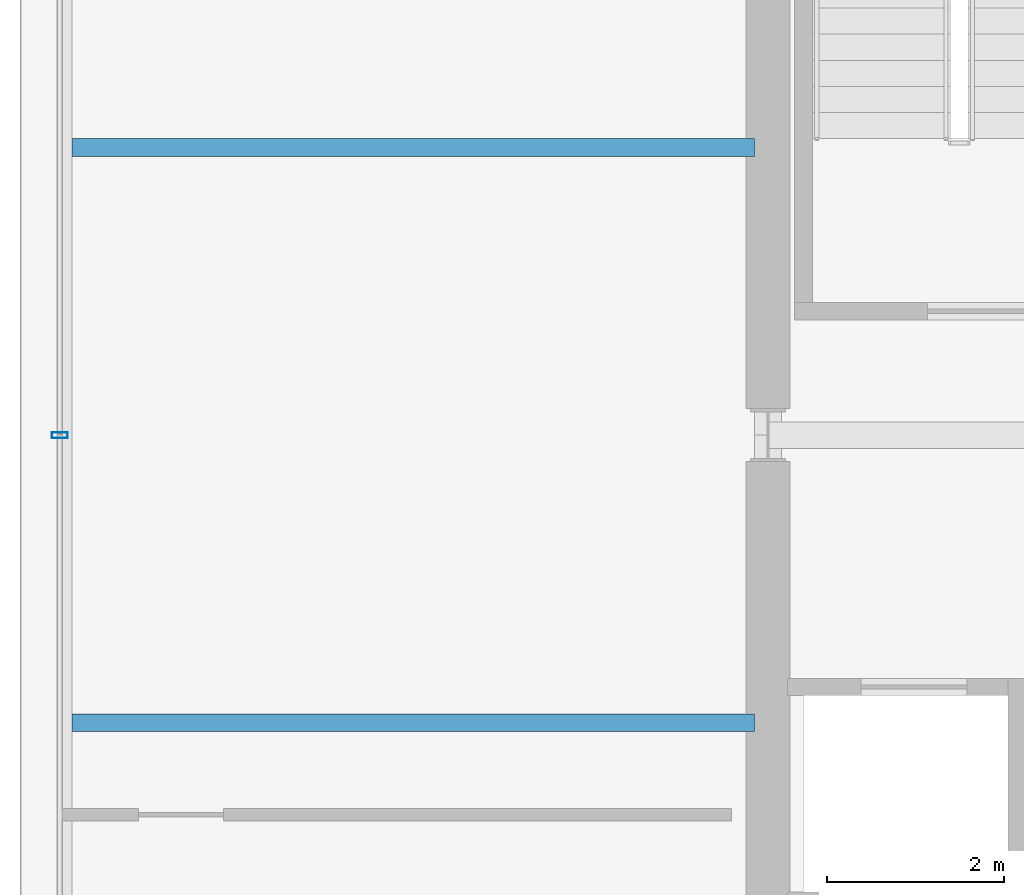
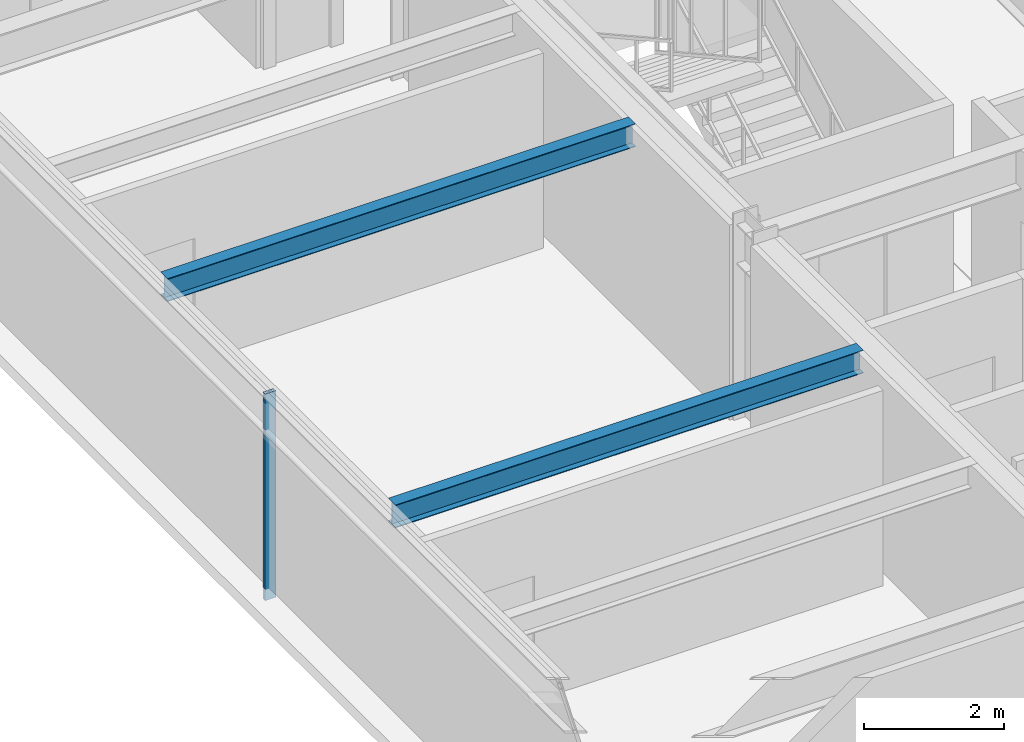
# One storey, part 8 of 29: 2 beams, 1 member, 1 element without a shape of its own.
"""IFC4 building model written with IfcOpenShell, lengths in metres."""

import ifcopenshell
import ifcopenshell.guid

model = None  # the IFC model being written
_history = None  # IfcOwnerHistory: only IFC2X3 demands one
_inside = {}  # id of a spatial element -> (the spatial element, [elements in it])
_under = {}  # id of a project, library or spatial element -> (it, [spatial elements below it])
_declared = {}  # id of a project -> (the project, [libraries it declares])
_typed = {}  # id of a type object -> (the type object, [elements of that type])
_made_of = {}  # id of a material, layer set ... -> (it, [elements and type objects made of it])


def new_model(schema):
    """Start an empty IFC model of exactly this schema.

    Asked for "IFC4X3", IfcOpenShell would pick the latest addendum, in which some entities
    have other attributes; the version numbers below select the first issue.
    IFC2X3 requires an IfcOwnerHistory on every rooted entity: one is made here for all.
    """
    global model, _history
    if schema == "IFC4X3":
        model = ifcopenshell.file(schema_version=(4, 3, 0, 0))
    else:
        model = ifcopenshell.file(schema=schema)
    _inside.clear()
    _under.clear()
    _declared.clear()
    _typed.clear()
    _made_of.clear()
    _history = None
    if model.schema == "IFC2X3":
        org = make("IfcOrganization", Name="unknown")
        user = make(
            "IfcPersonAndOrganization",
            ThePerson=make("IfcPerson", FamilyName="unknown"),
            TheOrganization=org,
        )
        app = make(
            "IfcApplication",
            ApplicationDeveloper=org,
            Version="unknown",
            ApplicationFullName="unknown",
            ApplicationIdentifier="unknown",
        )
        _history = make(
            "IfcOwnerHistory",
            OwningUser=user,
            OwningApplication=app,
            ChangeAction="ADDED",
            CreationDate=0,
        )
    return model


def make(cls, **values):
    """One entity of the class cls with the attributes given. An attribute that is None is left unset."""
    return model.create_entity(
        cls, **{name: value for name, value in values.items() if value is not None}
    )


def rooted(cls, **values):
    """An entity with a GlobalId (a new one), such as an element, a storey or a relation."""
    return make(cls, GlobalId=ifcopenshell.guid.new(), OwnerHistory=_history, **values)


def si_unit(unit_type, name, prefix=None):
    """IfcSIUnit, for example si_unit("LENGTHUNIT", "METRE", prefix="MILLI")."""
    return make("IfcSIUnit", UnitType=unit_type, Prefix=prefix, Name=name)


def assignment(units):
    """IfcUnitAssignment: the units of a project."""
    return None if units is None else make("IfcUnitAssignment", Units=units)


def point(xyz):
    """IfcCartesianPoint."""
    return None if xyz is None else make("IfcCartesianPoint", Coordinates=xyz)


def direction(xyz):
    """IfcDirection."""
    return None if xyz is None else make("IfcDirection", DirectionRatios=xyz)


def frame(location, z_axis=None, x_axis=None):
    """IfcAxis2Placement3D, a coordinate frame: its origin and axes. An axis left out is left unset."""
    return make(
        "IfcAxis2Placement3D",
        Location=point(location),
        Axis=direction(z_axis),
        RefDirection=direction(x_axis),
    )


def frame_2d(location, x_axis=None):
    """IfcAxis2Placement2D, a coordinate frame in the plane: its origin and x axis."""
    return make(
        "IfcAxis2Placement2D", Location=point(location), RefDirection=direction(x_axis)
    )


def origin():
    """The frame at (0, 0, 0) with its axes left unset."""
    return frame((0.0, 0.0, 0.0))


def origin_2d():
    """The frame at (0, 0) in the plane with its x axis left unset."""
    return frame_2d((0.0, 0.0))


def place(relative_to, where):
    """IfcLocalPlacement: puts the frame where relative to a parent placement (None: the world)."""
    return make(
        "IfcLocalPlacement", PlacementRelTo=relative_to, RelativePlacement=where
    )


def context(
    kind, dimensions, precision=None, world=None, true_north=None, identifier=None
):
    """IfcGeometricRepresentationContext, for example the 3D "Model" context."""
    return make(
        "IfcGeometricRepresentationContext",
        ContextIdentifier=identifier,
        ContextType=kind,
        CoordinateSpaceDimension=dimensions,
        Precision=precision,
        WorldCoordinateSystem=world,
        TrueNorth=true_north,
    )


def subcontext(parent, identifier, kind, view, scale=None):
    """IfcGeometricRepresentationSubContext, for example "Body" below "Model"."""
    return make(
        "IfcGeometricRepresentationSubContext",
        ContextIdentifier=identifier,
        ContextType=kind,
        ParentContext=parent,
        TargetScale=scale,
        TargetView=view,
    )


def project(units=None, contexts=None):
    """IfcProject with its units and contexts."""
    return rooted(
        "IfcProject",
        Name="project",
        RepresentationContexts=contexts,
        UnitsInContext=assignment(units),
    )


def spatial(cls, under=None, at=None, **own):
    """A site, building, storey or space (cls), placed at a placement, below another one or the project."""
    s = rooted(cls, ObjectPlacement=at, **own)
    if under is not None:
        _under.setdefault(under.id(), (under, []))[1].append(s)
    return s


def profile(cls, at=None, kind="AREA", **sizes):
    """A parametric profile (cls). Its sizes go by their IFC names, for example OverallWidth=200.0."""
    return make(cls, ProfileType=kind, Position=at, **sizes)


def hollow_rectangle(**sizes):
    """IfcRectangleHollowProfileDef."""
    return profile("IfcRectangleHollowProfileDef", **sizes)


def i_section(**sizes):
    """IfcIShapeProfileDef."""
    return profile("IfcIShapeProfileDef", **sizes)


def extrude(swept, where, along, depth):
    """IfcExtrudedAreaSolid: the profile swept, set in the frame where, extruded along a direction by depth."""
    return make(
        "IfcExtrudedAreaSolid",
        SweptArea=swept,
        Position=where,
        ExtrudedDirection=direction(along),
        Depth=depth,
    )


def shape(context_of_items, identifier, shape_type, items):
    """IfcShapeRepresentation: the items that make up one representation, for example the "Body"."""
    return make(
        "IfcShapeRepresentation",
        ContextOfItems=context_of_items,
        RepresentationIdentifier=identifier,
        RepresentationType=shape_type,
        Items=items,
    )


def material(Name=None, Category=None):
    """IfcMaterial."""
    return make("IfcMaterial", Name=Name, Category=Category)


def layer(
    of_material, thickness, ventilated=None, Name=None, Category=None, Priority=None
):
    """IfcMaterialLayer: one layer of a wall or slab, of a material (None: an air gap)."""
    return make(
        "IfcMaterialLayer",
        Material=of_material,
        LayerThickness=thickness,
        IsVentilated=ventilated,
        Name=Name,
        Category=Category,
        Priority=Priority,
    )


def layer_set(layers, Name=None):
    """IfcMaterialLayerSet."""
    return make("IfcMaterialLayerSet", MaterialLayers=layers, LayerSetName=Name)


def material_profile(
    of_material, cross_section, Name=None, Category=None, Priority=None
):
    """IfcMaterialProfile: a cross section and its material."""
    return make(
        "IfcMaterialProfile",
        Name=Name,
        Material=of_material,
        Profile=cross_section,
        Priority=Priority,
        Category=Category,
    )


def profile_set(profiles, Name=None, composite=None):
    """IfcMaterialProfileSet."""
    return make(
        "IfcMaterialProfileSet",
        Name=Name,
        MaterialProfiles=profiles,
        CompositeProfile=composite,
    )


def made_of(thing, what):
    """Note that an element or type object is made of a material, layer set ...; save() writes the relation."""
    if what is not None:
        _made_of.setdefault(what.id(), (what, []))[1].append(thing)
    return thing


def type_object(cls, material=None, **own):
    """A type object (cls), such as IfcWallType, which elements share."""
    return made_of(rooted(cls, **own), material)


def element(
    cls,
    number,
    at=None,
    inside=None,
    cuts=None,
    type_object=None,
    material=None,
    context=None,
    identifier="Body",
    shape_type=None,
    held_by="IfcProductDefinitionShape",
    body=None,
    shapes=None,
    **own,
):
    """One element of the class cls, such as IfcWall. Its Tag is "e" and its number.

    at: its placement. inside: the storey or other place that contains it. cuts: it is an
    opening in that element (IfcRelVoidsElement). A single representation is given by context,
    identifier, shape_type and body (its items); several are given by shapes. held_by: the class
    of the entity that holds the representations. save() writes the other relations.
    """
    e = rooted(cls, Tag="e%d" % number, ObjectPlacement=at, **own)
    if body is not None:
        shapes = [shape(context, identifier, shape_type, body)]
    if shapes is not None:
        e.Representation = make(held_by, Representations=shapes)
    if inside is not None:
        _inside.setdefault(inside.id(), (inside, []))[1].append(e)
    if cuts is not None:
        rooted(
            "IfcRelVoidsElement", RelatingBuildingElement=cuts, RelatedOpeningElement=e
        )
    if type_object is not None:
        _typed.setdefault(type_object.id(), (type_object, []))[1].append(e)
    return made_of(e, material)


def aggregate(whole, parts):
    """IfcRelAggregates: a whole, such as a stair, and the parts it consists of."""
    return rooted("IfcRelAggregates", RelatingObject=whole, RelatedObjects=parts)


def save(model, path):
    """Write the relations noted so far, then the file.

    IfcRelAggregates (storeys below a building ...), IfcRelContainedInSpatialStructure (elements
    in a storey), IfcRelDefinesByType, IfcRelAssociatesMaterial and IfcRelDeclares: one each for
    every whole, place, type object, material and project.
    """
    for whole, parts in _under.values():
        aggregate(whole, parts)
    for where, things in _inside.values():
        rooted(
            "IfcRelContainedInSpatialStructure",
            RelatedElements=things,
            RelatingStructure=where,
        )
    for kind, things in _typed.values():
        rooted("IfcRelDefinesByType", RelatedObjects=things, RelatingType=kind)
    for what, things in _made_of.values():
        rooted("IfcRelAssociatesMaterial", RelatedObjects=things, RelatingMaterial=what)
    for by, libraries in _declared.values():
        rooted("IfcRelDeclares", RelatingContext=by, RelatedDefinitions=libraries)
    model.write(path)


model = new_model("IFC4")

# Units and contexts
model_context = context("Model", 3, precision=1e-05, world=origin(), true_north=direction((0.0, 1.0)))
body_context = subcontext(model_context, "Body", "Model", "MODEL_VIEW")
ifc_project = project(units=[si_unit("LENGTHUNIT", "METRE"), si_unit("AREAUNIT", "SQUARE_METRE"), si_unit("VOLUMEUNIT", "CUBIC_METRE"), si_unit("PLANEANGLEUNIT", "RADIAN"), si_unit("MASSUNIT", "GRAM", prefix="KILO")], contexts=[model_context])

# Site, building, storey
site_placement = place(None, origin())
site = spatial("IfcSite", under=ifc_project, at=site_placement, CompositionType="ELEMENT")
building_placement = place(site_placement, origin())
building = spatial("IfcBuilding", under=site, at=building_placement, Name="Brelmoor Portico Tower", CompositionType="ELEMENT")
storey_placement = place(building_placement, frame((0.0, 0.0, 135.0)))
storey = spatial("IfcBuildingStorey", under=building, at=storey_placement, Name="L35", CompositionType="ELEMENT", Elevation=135.0)

# Beams
ifc_material_1 = material(Name="Steel Q355B", Category="steel")
ifc_material_profile_1 = material_profile(ifc_material_1, i_section(OverallWidth=0.199951171875, OverallDepth=0.39990234375, WebThickness=0.008056640625, FlangeThickness=0.012939453125, at=origin_2d()), Name="HN 400x200x8x13")
ifc_profile_set_1 = profile_set([ifc_material_profile_1], Name="Steel Q355B")
beam_type = type_object("IfcBeamType", Name="BM-JS-400", PredefinedType="JOIST", material=ifc_profile_set_1)
for number, where, z_axis, x_axis, name in (
    (1, (-22.409912109375, -3.25, 3.199951171875), (1.0, 0.0, 0.0), (0.0, 1.0, 0.0), "L35 Secondary Wing Joist JS-W06"),
    (2, (-22.409912109375, 3.25, 3.199951171875), (1.0, 0.0, 0.0), (0.0, 1.0, 0.0), "L35 Secondary Wing Joist JS-W07"),
):
    element("IfcBeam", number, at=place(storey_placement, frame(where, z_axis=z_axis, x_axis=x_axis)), inside=storey, type_object=beam_type, Name=name, PredefinedType="JOIST", context=body_context, shape_type="SweptSolid", body=[
        extrude(i_section(OverallWidth=0.199951171875, OverallDepth=0.39990234375, WebThickness=0.008056640625, FlangeThickness=0.012939453125, at=origin_2d()), origin(), (0.0, 0.0, 1.0), 7.7099609375),
    ])

# Curtain wall, member
ifc_material_2 = material(Name="Anodised Aluminium Alloy 6063-T6", Category="aluminium")
ifc_layer = layer(ifc_material_2, 0.179931640625)
ifc_layer_set = layer_set([ifc_layer], Name="Anodised Aluminium Alloy 6063-T6")
curtain_wall_type = type_object("IfcCurtainWallType", Name="CW-TOWER-Z2-XB", PredefinedType="NOTDEFINED", material=ifc_layer_set)
curtain_wall_placement = place(storey_placement, origin())
curtain_wall = element("IfcCurtainWall", 3, at=curtain_wall_placement, inside=storey, type_object=curtain_wall_type, Name="L35 Curtain Wall CW-L35-03-2", PredefinedType="NOTDEFINED")
ifc_material_profile_2 = material_profile(ifc_material_2, hollow_rectangle(XDim=0.06494140625, YDim=0.179931640625, WallThickness=0.00390625, at=origin_2d()), Name="ALU MULLION 65x180")
ifc_profile_set_2 = profile_set([ifc_material_profile_2], Name="Anodised Aluminium Alloy 6063-T6")
member_type = type_object("IfcMemberType", Name="MB-CW-MULL-180", PredefinedType="MULLION", material=ifc_profile_set_2)
member_placement = place(storey_placement, frame((-22.550048828125, 0.0, -0.199951171875), z_axis=(0.0, 0.0, 1.0), x_axis=(0.0, 1.0, 0.0)))
member = element("IfcMember", 4, at=member_placement, type_object=member_type, Name="CW-L35-03-2 Mullion 01", PredefinedType="MULLION", context=body_context, shape_type="SweptSolid", body=[
    extrude(hollow_rectangle(XDim=0.06494140625, YDim=0.179931640625, WallThickness=0.00390625, at=origin_2d()), origin(), (0.0, 0.0, 1.0), 3.599853515625),
])
aggregate(curtain_wall, [member])

save(model, "model.ifc")
